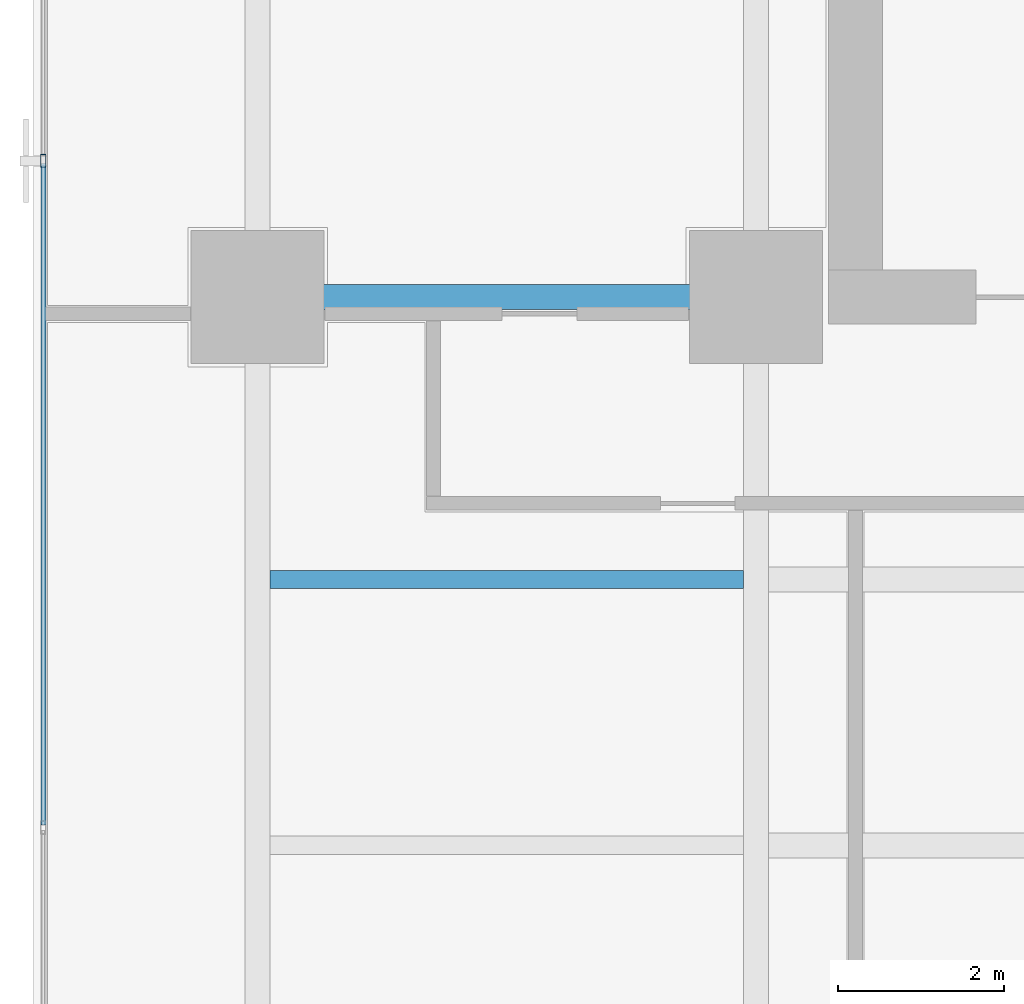
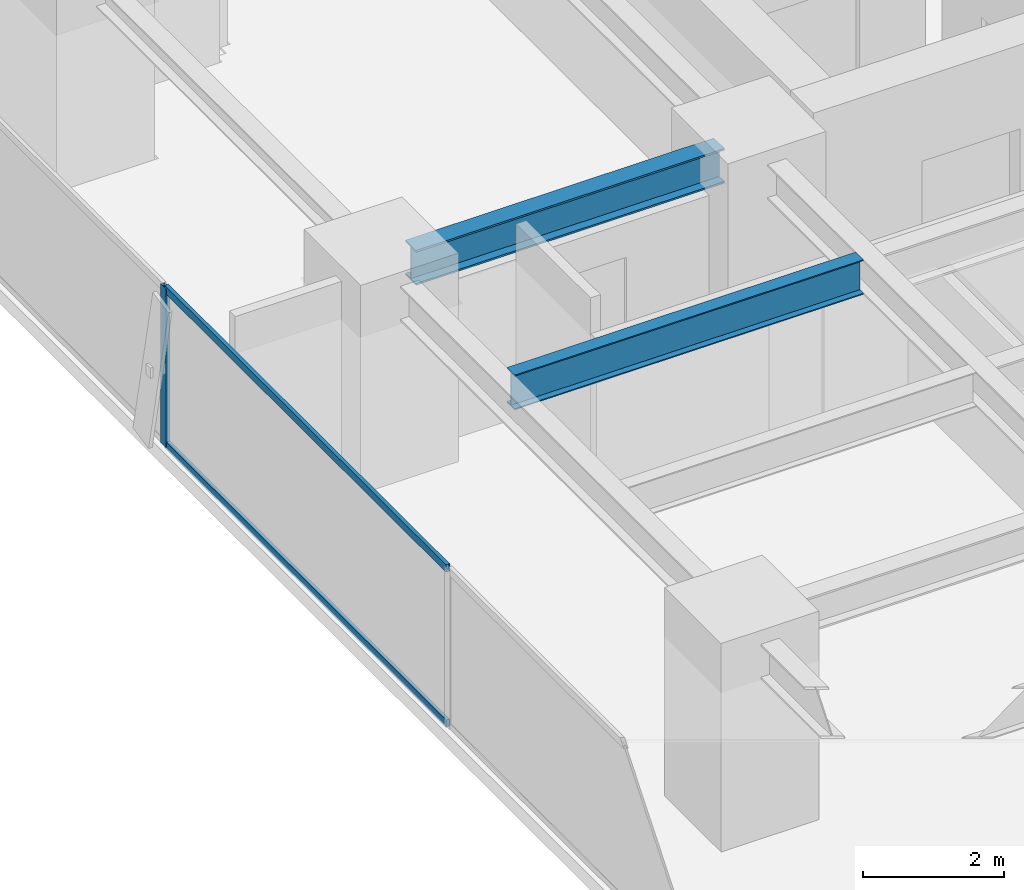
# One storey, part 17 of 34: 3 members, 2 beams, 1 element without a shape of its own.
"""IFC4 building model written with IfcOpenShell, lengths in metres."""

from ifc_helpers import new_model, si_unit, direction, frame, origin, origin_2d, place, context, subcontext, project, spatial, hollow_rectangle, i_section, extrude, source, transform, mapped, material, layer, layer_set, material_profile, profile_set, type_object, element, aggregate, save


model = new_model("IFC4")

# Units and contexts
model_context = context("Model", 3, precision=1e-05, world=origin(), true_north=direction((0.0, 1.0)))
body_context = subcontext(model_context, "Body", "Model", "MODEL_VIEW")
ifc_project = project(units=[si_unit("LENGTHUNIT", "METRE"), si_unit("AREAUNIT", "SQUARE_METRE"), si_unit("VOLUMEUNIT", "CUBIC_METRE"), si_unit("PLANEANGLEUNIT", "RADIAN"), si_unit("MASSUNIT", "GRAM", prefix="KILO")], contexts=[model_context])

# Site, building, storey
site_placement = place(None, origin())
site = spatial("IfcSite", under=ifc_project, at=site_placement, CompositionType="ELEMENT")
building_placement = place(site_placement, origin())
building = spatial("IfcBuilding", under=site, at=building_placement, Name="Sumidabori Civic Tower", CompositionType="ELEMENT")
storey_placement = place(building_placement, frame((0.0, 0.0, 106.39990234375)))
storey = spatial("IfcBuildingStorey", under=building, at=storey_placement, Name="L27", CompositionType="ELEMENT", Elevation=106.39990234375)

# Beams
ifc_material_1 = material(Name="Steel SN490", Category="steel")
ifc_material_profile_1 = material_profile(ifc_material_1, i_section(OverallWidth=0.300048828125, OverallDepth=0.60009765625, WebThickness=0.015380859375, FlangeThickness=0.030029296875, at=origin_2d()), Name="HE 600 B")
ifc_profile_set_1 = profile_set([ifc_material_profile_1], Name="Steel SN490")
beam_type_1 = type_object("IfcBeamType", Name="BM-GIRD-600", PredefinedType="BEAM", material=ifc_profile_set_1)
shared_shape_1 = source(origin(), body_context, "Body", "SweptSolid", [
    extrude(i_section(OverallWidth=0.300048828125, OverallDepth=0.60009765625, WebThickness=0.015380859375, FlangeThickness=0.030029296875, at=origin_2d()), origin(), (0.0, 0.0, 1.0), 5.0400390625),
])
beam_1_placement = place(storey_placement, frame((-22.320068359375, 10.199951171875, 3.06005859375), z_axis=(1.0, 0.0, 0.0), x_axis=(0.0, 1.0, 0.0)))
element("IfcBeam", 1, at=beam_1_placement, inside=storey, type_object=beam_type_1, Name="Primary Girder L27 GX-19", PredefinedType="BEAM", context=body_context, shape_type="MappedRepresentation", body=[
    mapped(shared_shape_1, transform((0.0, 0.0, 0.0), x_axis=(1.0, 0.0, 0.0), y_axis=(0.0, 1.0, 0.0), z_axis=(0.0, 0.0, 1.0), scale=1.0)),
])
ifc_material_profile_2 = material_profile(ifc_material_1, i_section(OverallWidth=0.219970703125, OverallDepth=0.60009765625, WebThickness=0.011962890625, FlangeThickness=0.01904296875, at=origin_2d()), Name="IPE 600")
ifc_profile_set_2 = profile_set([ifc_material_profile_2], Name="Steel SN490")
beam_type_2 = type_object("IfcBeamType", Name="BM-JST-600", PredefinedType="JOIST", material=ifc_profile_set_2)
shared_shape_2 = source(origin(), body_context, "Body", "SweptSolid", [
    extrude(i_section(OverallWidth=0.219970703125, OverallDepth=0.60009765625, WebThickness=0.011962890625, FlangeThickness=0.01904296875, at=origin_2d()), origin(), (0.0, 0.0, 1.0), 5.699951171875),
])
beam_2_placement = place(storey_placement, frame((-22.64990234375, 6.800048828125, 3.06005859375), z_axis=(1.0, 0.0, 0.0), x_axis=(0.0, 1.0, 0.0)))
element("IfcBeam", 2, at=beam_2_placement, inside=storey, type_object=beam_type_2, Name="Outer Bay Floor Joist L27 JSTO-49", PredefinedType="JOIST", context=body_context, shape_type="MappedRepresentation", body=[
    mapped(shared_shape_2, transform((0.0, 0.0, 0.0), x_axis=(1.0, 0.0, 0.0), y_axis=(0.0, 1.0, 0.0), z_axis=(0.0, 0.0, 1.0), scale=1.0)),
])

# Curtain wall, members
ifc_material_2 = material(Name="Anodised Bronze Aluminium AW-6063-T6", Category="aluminium")
ifc_layer = layer(ifc_material_2, 0.179931640625, Name="Anodised Bronze Aluminium AW-6063-T6")
ifc_layer_set = layer_set([ifc_layer], Name="Anodised Bronze Aluminium AW-6063-T6")
curtain_wall_type = type_object("IfcCurtainWallType", Name="CW-SYS-3", PredefinedType="NOTDEFINED", material=ifc_layer_set)
curtain_wall_placement = place(storey_placement, origin())
curtain_wall = element("IfcCurtainWall", 3, at=curtain_wall_placement, inside=storey, type_object=curtain_wall_type, Name="Curtain Wall CW:L27:R10", PredefinedType="NOTDEFINED")
ifc_material_profile_3 = material_profile(ifc_material_2, hollow_rectangle(XDim=0.06494140625, YDim=0.159912109375, WallThickness=0.0048828125, at=origin_2d()), Name="ALU MULLION 160x65")
ifc_profile_set_3 = profile_set([ifc_material_profile_3], Name="Anodised Bronze Aluminium AW-6063-T6")
member_type_1 = type_object("IfcMemberType", Name="CW-MUL-160", PredefinedType="MULLION", material=ifc_profile_set_3)
shared_shape_3 = source(origin(), body_context, "Body", "SweptSolid", [
    extrude(hollow_rectangle(XDim=0.06494140625, YDim=0.159912109375, WallThickness=0.0048828125, at=origin_2d()), origin(), (0.0, 0.0, 1.0), 2.739990234375),
])
member_1_placement = place(storey_placement, frame((-25.3798828125, 11.842041015625, 0.0), z_axis=(0.0, 0.0, 1.0), x_axis=(1.0, 0.0, 0.0)))
member_1 = element("IfcMember", 4, at=member_1_placement, type_object=member_type_1, Name="CW-3 mullion 2", PredefinedType="MULLION", context=body_context, shape_type="MappedRepresentation", body=[
    mapped(shared_shape_3, transform((0.0, 0.0, 0.0), x_axis=(1.0, 0.0, 0.0), y_axis=(0.0, 1.0, 0.0), z_axis=(0.0, 0.0, 1.0), scale=1.0)),
])
ifc_material_profile_4 = material_profile(ifc_material_2, hollow_rectangle(XDim=0.06005859375, YDim=0.1298828125, WallThickness=0.0048828125, at=origin_2d()), Name="ALU TRANSOM 130x60")
ifc_profile_set_4 = profile_set([ifc_material_profile_4], Name="Anodised Bronze Aluminium AW-6063-T6")
member_type_2 = type_object("IfcMemberType", Name="CW-TRN-130", PredefinedType="USERDEFINED", material=ifc_profile_set_4)
shared_shape_4 = source(origin(), body_context, "Body", "SweptSolid", [
    extrude(hollow_rectangle(XDim=0.06005859375, YDim=0.1298828125, WallThickness=0.0048828125, at=origin_2d()), origin(), (0.0, 0.0, 1.0), 7.963134765625),
])
member_2_placement = place(storey_placement, frame((-25.3798828125, 11.8095703125, 0.030029296875), z_axis=(0.0, -1.0, 0.0), x_axis=(1.0, 0.0, 0.0)))
member_2 = element("IfcMember", 5, at=member_2_placement, type_object=member_type_2, Name="CW-3 transom 2.1", ObjectType="TRANSOM", PredefinedType="USERDEFINED", context=body_context, shape_type="MappedRepresentation", body=[
    mapped(shared_shape_4, transform((0.0, 0.0, 0.0), x_axis=(1.0, 0.0, 0.0), y_axis=(0.0, 1.0, 0.0), z_axis=(0.0, 0.0, 1.0), scale=1.0)),
])
member_3_placement = place(storey_placement, frame((-25.3798828125, 11.8095703125, 2.710205078125), z_axis=(0.0, -1.0, 0.0), x_axis=(1.0, 0.0, 0.0)))
member_3 = element("IfcMember", 6, at=member_3_placement, type_object=member_type_2, Name="CW-3 transom 2.2", ObjectType="TRANSOM", PredefinedType="USERDEFINED", context=body_context, shape_type="MappedRepresentation", body=[
    mapped(shared_shape_4, transform((0.0, 0.0, 0.0), x_axis=(1.0, 0.0, 0.0), y_axis=(0.0, 1.0, 0.0), z_axis=(0.0, 0.0, 1.0), scale=1.0)),
])
aggregate(curtain_wall, [member_1, member_2, member_3])

save(model, "model.ifc")
